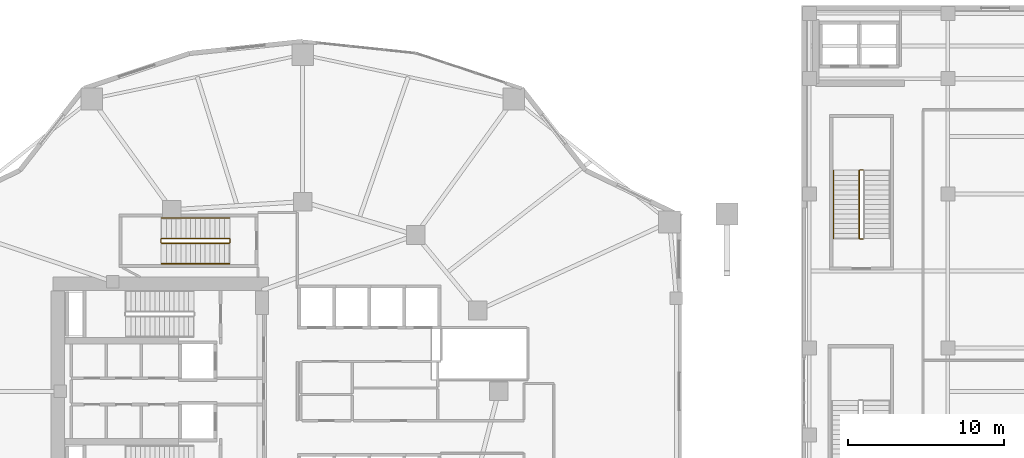
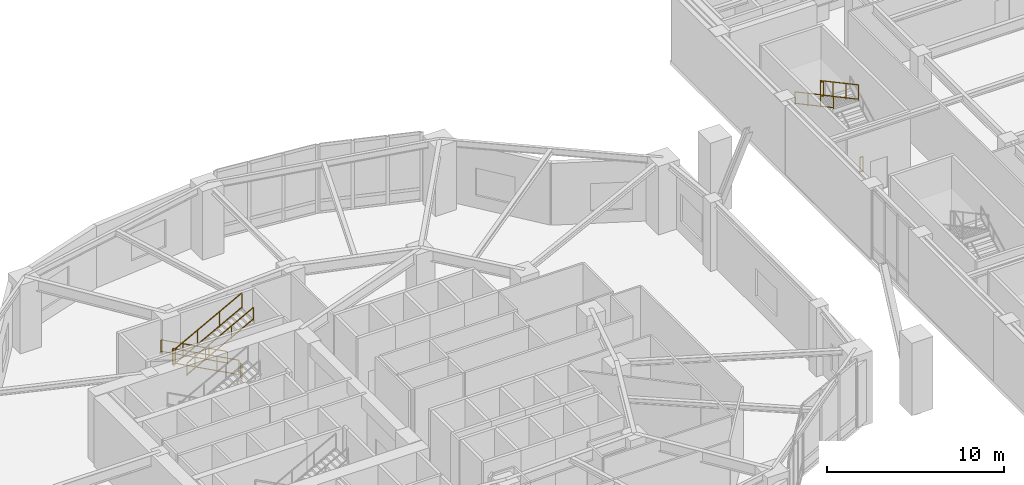
# One storey, part 20 of 21: 10 railings.
"""IFC4 building model written with IfcOpenShell, lengths in metres."""

from ifc_helpers import new_model, si_unit, direction, frame, origin, origin_2d, place, context, subcontext, project, spatial, rectangle, extrude, material, type_object, element, save


model = new_model("IFC4")

# Units and contexts
model_context = context("Model", 3, precision=1e-05, world=origin(), true_north=direction((0.0, 1.0)))
body_context = subcontext(model_context, "Body", "Model", "MODEL_VIEW")
ifc_project = project(units=[si_unit("LENGTHUNIT", "METRE"), si_unit("AREAUNIT", "SQUARE_METRE"), si_unit("VOLUMEUNIT", "CUBIC_METRE"), si_unit("PLANEANGLEUNIT", "RADIAN"), si_unit("MASSUNIT", "GRAM", prefix="KILO")], contexts=[model_context])

# Site, building, storey
site_placement = place(None, origin())
site = spatial("IfcSite", under=ifc_project, at=site_placement, CompositionType="ELEMENT")
building_placement = place(site_placement, origin())
building = spatial("IfcBuilding", under=site, at=building_placement, Name="Kolvaren Gate Tower and Convention Centre", CompositionType="ELEMENT")
storey_placement = place(building_placement, frame((0.0, 0.0, 5.0)))
storey = spatial("IfcBuildingStorey", under=building, at=storey_placement, Name="L01", CompositionType="ELEMENT", Elevation=5.0)

# Railings
ifc_material = material(Name="Brushed Stainless Steel Grade 316L", Category="steel")
railing_type_1 = type_object("IfcRailingType", Name="ARCH-RL-GUARD-1150", PredefinedType="GUARDRAIL", material=ifc_material)
railing_1_placement = place(storey_placement, frame((25.39990234375, 36.830078125, 0.166748046875)))
element("IfcRailing", 1, at=railing_1_placement, inside=storey, type_object=railing_type_1, Name="L01 ST-T3 stair guard 1", PredefinedType="GUARDRAIL", context=body_context, shape_type="SweptSolid", body=[
    extrude(rectangle(XDim=0.048095703125, YDim=0.048095703125, at=origin_2d()), frame((0.0, 0.0, 1.076171875), z_axis=(-0.8807748016, 0.0, 0.47353537235), x_axis=(0.0, -1.0, 0.0)), (0.0, 0.0, 1.0), 4.92724609375),
    extrude(rectangle(XDim=0.048095703125, YDim=0.048095703125, at=origin_2d()), frame((0.0, 0.0, 0.083984375), z_axis=(-0.8807748016, 0.0, 0.47353537235), x_axis=(0.0, -1.0, 0.0)), (0.0, 0.0, 1.0), 4.92724609375),
    extrude(rectangle(XDim=0.0419921875, YDim=0.0419921875, at=origin_2d()), origin(), (0.0, 0.0, 1.0), 1.050048828125),
    extrude(rectangle(XDim=0.0419921875, YDim=0.0419921875, at=origin_2d()), frame((-4.33984375, 0.0, 2.333251953125)), (0.0, 0.0, 1.0), 1.050048828125),
    extrude(rectangle(XDim=0.0419921875, YDim=0.0419921875, at=origin_2d()), frame((-1.446533203125, 0.0, 0.77783203125)), (0.0, 0.0, 1.0), 1.050048828125),
    extrude(rectangle(XDim=0.0419921875, YDim=0.0419921875, at=origin_2d()), frame((-2.893310546875, 0.0, 1.555419921875)), (0.0, 0.0, 1.0), 1.050048828125),
])
railing_2_placement = place(storey_placement, frame((21.010009765625, 36.780029296875, 2.5)))
element("IfcRailing", 2, at=railing_2_placement, inside=storey, type_object=railing_type_1, Name="L01 ST-T3 stair guard 2", PredefinedType="GUARDRAIL", context=body_context, shape_type="SweptSolid", body=[
    extrude(rectangle(XDim=0.048095703125, YDim=0.048095703125, at=origin_2d()), frame((0.0, 0.0, 1.076171875), z_axis=(0.0, -1.0, 0.0), x_axis=(1.0, 0.0, 0.0)), (0.0, 0.0, 1.0), 0.199951171875),
    extrude(rectangle(XDim=0.048095703125, YDim=0.048095703125, at=origin_2d()), frame((0.0, 0.0, 0.083984375), z_axis=(0.0, -1.0, 0.0), x_axis=(1.0, 0.0, 0.0)), (0.0, 0.0, 1.0), 0.199951171875),
    extrude(rectangle(XDim=0.0419921875, YDim=0.0419921875, at=origin_2d()), origin(), (0.0, 0.0, 1.0), 1.050048828125),
    extrude(rectangle(XDim=0.0419921875, YDim=0.0419921875, at=origin_2d()), frame((0.0, -0.199951171875, 0.0)), (0.0, 0.0, 1.0), 1.050048828125),
])
railing_3_placement = place(storey_placement, frame((21.06005859375, 36.530029296875, 2.666748046875)))
element("IfcRailing", 3, at=railing_3_placement, inside=storey, type_object=railing_type_1, Name="L01 ST-T3 stair guard 3", PredefinedType="GUARDRAIL", context=body_context, shape_type="SweptSolid", body=[
    extrude(rectangle(XDim=0.048095703125, YDim=0.048095703125, at=origin_2d()), frame((0.0, 0.0, 1.076171875), z_axis=(0.8807748016, 0.0, 0.47353537235), x_axis=(0.0, 1.0, 0.0)), (0.0, 0.0, 1.0), 4.92724609375),
    extrude(rectangle(XDim=0.048095703125, YDim=0.048095703125, at=origin_2d()), frame((0.0, 0.0, 0.083984375), z_axis=(0.8807748016, 0.0, 0.47353537235), x_axis=(0.0, 1.0, 0.0)), (0.0, 0.0, 1.0), 4.92724609375),
    extrude(rectangle(XDim=0.0419921875, YDim=0.0419921875, at=origin_2d()), origin(), (0.0, 0.0, 1.0), 1.050048828125),
    extrude(rectangle(XDim=0.0419921875, YDim=0.0419921875, at=origin_2d()), frame((4.33984375, 0.0, 2.333251953125)), (0.0, 0.0, 1.0), 1.050048828125),
    extrude(rectangle(XDim=0.0419921875, YDim=0.0419921875, at=origin_2d()), frame((1.446533203125, 0.0, 0.77783203125)), (0.0, 0.0, 1.0), 1.050048828125),
    extrude(rectangle(XDim=0.0419921875, YDim=0.0419921875, at=origin_2d()), frame((2.893310546875, 0.0, 1.555419921875)), (0.0, 0.0, 1.0), 1.050048828125),
])
railing_4_placement = place(storey_placement, frame((25.449951171875, 36.780029296875, 0.0)))
element("IfcRailing", 4, at=railing_4_placement, inside=storey, type_object=railing_type_1, Name="L01 ST-T3 stair guard 4", PredefinedType="GUARDRAIL", context=body_context, shape_type="SweptSolid", body=[
    extrude(rectangle(XDim=0.048095703125, YDim=0.048095703125, at=origin_2d()), frame((0.0, 0.0, 1.076171875), z_axis=(0.0, -1.0, 0.0), x_axis=(1.0, 0.0, 0.0)), (0.0, 0.0, 1.0), 0.199951171875),
    extrude(rectangle(XDim=0.048095703125, YDim=0.048095703125, at=origin_2d()), frame((0.0, 0.0, 0.083984375), z_axis=(0.0, -1.0, 0.0), x_axis=(1.0, 0.0, 0.0)), (0.0, 0.0, 1.0), 0.199951171875),
    extrude(rectangle(XDim=0.0419921875, YDim=0.0419921875, at=origin_2d()), origin(), (0.0, 0.0, 1.0), 1.050048828125),
    extrude(rectangle(XDim=0.0419921875, YDim=0.0419921875, at=origin_2d()), frame((0.0, -0.199951171875, 0.0)), (0.0, 0.0, 1.0), 1.050048828125),
])
railing_5_placement = place(storey_placement, frame((66.14990234375, 41.239990234375, 2.5)))
element("IfcRailing", 5, at=railing_5_placement, inside=storey, type_object=railing_type_1, Name="L01 ST-C1 stair guard 2", PredefinedType="GUARDRAIL", context=body_context, shape_type="SweptSolid", body=[
    extrude(rectangle(XDim=0.048095703125, YDim=0.048095703125, at=origin_2d()), frame((0.0, 0.0, 1.076171875), z_axis=(-1.0, 0.0, 0.0), x_axis=(0.0, -1.0, 0.0)), (0.0, 0.0, 1.0), 0.199951171875),
    extrude(rectangle(XDim=0.048095703125, YDim=0.048095703125, at=origin_2d()), frame((0.0, 0.0, 0.083984375), z_axis=(-1.0, 0.0, 0.0), x_axis=(0.0, -1.0, 0.0)), (0.0, 0.0, 1.0), 0.199951171875),
    extrude(rectangle(XDim=0.0419921875, YDim=0.0419921875, at=origin_2d()), origin(), (0.0, 0.0, 1.0), 1.050048828125),
    extrude(rectangle(XDim=0.0419921875, YDim=0.0419921875, at=origin_2d()), frame((-0.199951171875, 0.0, 0.0)), (0.0, 0.0, 1.0), 1.050048828125),
])
railing_6_placement = place(storey_placement, frame((65.89990234375, 41.18994140625, 2.666748046875)))
element("IfcRailing", 6, at=railing_6_placement, inside=storey, type_object=railing_type_1, Name="L01 ST-C1 stair guard 3", PredefinedType="GUARDRAIL", context=body_context, shape_type="SweptSolid", body=[
    extrude(rectangle(XDim=0.048095703125, YDim=0.048095703125, at=origin_2d()), frame((0.0, 0.0, 1.076171875), z_axis=(0.0, -0.8807748016, 0.47353537235), x_axis=(1.0, 0.0, 0.0)), (0.0, 0.0, 1.0), 4.92724609375),
    extrude(rectangle(XDim=0.048095703125, YDim=0.048095703125, at=origin_2d()), frame((0.0, 0.0, 0.083984375), z_axis=(0.0, -0.8807748016, 0.47353537235), x_axis=(1.0, 0.0, 0.0)), (0.0, 0.0, 1.0), 4.92724609375),
    extrude(rectangle(XDim=0.0419921875, YDim=0.0419921875, at=origin_2d()), origin(), (0.0, 0.0, 1.0), 1.050048828125),
    extrude(rectangle(XDim=0.0419921875, YDim=0.0419921875, at=origin_2d()), frame((0.0, -4.33984375, 2.333251953125)), (0.0, 0.0, 1.0), 1.050048828125),
    extrude(rectangle(XDim=0.0419921875, YDim=0.0419921875, at=origin_2d()), frame((0.0, -1.446533203125, 0.77783203125)), (0.0, 0.0, 1.0), 1.050048828125),
    extrude(rectangle(XDim=0.0419921875, YDim=0.0419921875, at=origin_2d()), frame((0.0, -2.893310546875, 1.555419921875)), (0.0, 0.0, 1.0), 1.050048828125),
])
railing_7_placement = place(storey_placement, frame((66.14990234375, 36.800048828125, 0.0)))
element("IfcRailing", 7, at=railing_7_placement, inside=storey, type_object=railing_type_1, Name="L01 ST-C1 stair guard 4", PredefinedType="GUARDRAIL", context=body_context, shape_type="SweptSolid", body=[
    extrude(rectangle(XDim=0.048095703125, YDim=0.048095703125, at=origin_2d()), frame((0.0, 0.0, 1.076171875), z_axis=(-1.0, 0.0, 0.0), x_axis=(0.0, -1.0, 0.0)), (0.0, 0.0, 1.0), 0.199951171875),
    extrude(rectangle(XDim=0.048095703125, YDim=0.048095703125, at=origin_2d()), frame((0.0, 0.0, 0.083984375), z_axis=(-1.0, 0.0, 0.0), x_axis=(0.0, -1.0, 0.0)), (0.0, 0.0, 1.0), 0.199951171875),
    extrude(rectangle(XDim=0.0419921875, YDim=0.0419921875, at=origin_2d()), origin(), (0.0, 0.0, 1.0), 1.050048828125),
    extrude(rectangle(XDim=0.0419921875, YDim=0.0419921875, at=origin_2d()), frame((-0.199951171875, 0.0, 0.0)), (0.0, 0.0, 1.0), 1.050048828125),
])
railing_type_2 = type_object("IfcRailingType", Name="ARCH-RL-HANDRAIL-920", PredefinedType="HANDRAIL", material=ifc_material)
railing_8_placement = place(storey_placement, frame((25.39990234375, 38.14990234375, 0.166748046875)))
element("IfcRailing", 8, at=railing_8_placement, inside=storey, type_object=railing_type_2, Name="L01 ST-T3 stair handrail 1", PredefinedType="HANDRAIL", context=body_context, shape_type="SweptSolid", body=[
    extrude(rectangle(XDim=0.048095703125, YDim=0.048095703125, at=origin_2d()), frame((0.0, 0.0, 0.8759765625), z_axis=(-0.8807748016, 0.0, 0.47353537235), x_axis=(0.0, -1.0, 0.0)), (0.0, 0.0, 1.0), 4.92724609375),
    extrude(rectangle(XDim=0.048095703125, YDim=0.048095703125, at=origin_2d()), frame((0.0, 0.0, 0.083984375), z_axis=(-0.8807748016, 0.0, 0.47353537235), x_axis=(0.0, -1.0, 0.0)), (0.0, 0.0, 1.0), 4.92724609375),
    extrude(rectangle(XDim=0.0419921875, YDim=0.0419921875, at=origin_2d()), origin(), (0.0, 0.0, 1.0), 0.849853515625),
    extrude(rectangle(XDim=0.0419921875, YDim=0.0419921875, at=origin_2d()), frame((-4.33984375, 0.0, 2.333251953125)), (0.0, 0.0, 1.0), 0.849853515625),
    extrude(rectangle(XDim=0.0419921875, YDim=0.0419921875, at=origin_2d()), frame((-1.446533203125, 0.0, 0.77783203125)), (0.0, 0.0, 1.0), 0.849853515625),
    extrude(rectangle(XDim=0.0419921875, YDim=0.0419921875, at=origin_2d()), frame((-2.893310546875, 0.0, 1.555419921875)), (0.0, 0.0, 1.0), 0.849853515625),
])
railing_9_placement = place(storey_placement, frame((21.06005859375, 35.2099609375, 2.666748046875)))
element("IfcRailing", 9, at=railing_9_placement, inside=storey, type_object=railing_type_2, Name="L01 ST-T3 stair handrail 2", PredefinedType="HANDRAIL", context=body_context, shape_type="SweptSolid", body=[
    extrude(rectangle(XDim=0.048095703125, YDim=0.048095703125, at=origin_2d()), frame((0.0, 0.0, 0.8759765625), z_axis=(0.8807748016, 0.0, 0.47353537235), x_axis=(0.0, 1.0, 0.0)), (0.0, 0.0, 1.0), 4.92724609375),
    extrude(rectangle(XDim=0.048095703125, YDim=0.048095703125, at=origin_2d()), frame((0.0, 0.0, 0.083984375), z_axis=(0.8807748016, 0.0, 0.47353537235), x_axis=(0.0, 1.0, 0.0)), (0.0, 0.0, 1.0), 4.92724609375),
    extrude(rectangle(XDim=0.0419921875, YDim=0.0419921875, at=origin_2d()), origin(), (0.0, 0.0, 1.0), 0.849853515625),
    extrude(rectangle(XDim=0.0419921875, YDim=0.0419921875, at=origin_2d()), frame((4.33984375, 0.0, 2.333251953125)), (0.0, 0.0, 1.0), 0.849853515625),
    extrude(rectangle(XDim=0.0419921875, YDim=0.0419921875, at=origin_2d()), frame((1.446533203125, 0.0, 0.77783203125)), (0.0, 0.0, 1.0), 0.849853515625),
    extrude(rectangle(XDim=0.0419921875, YDim=0.0419921875, at=origin_2d()), frame((2.893310546875, 0.0, 1.555419921875)), (0.0, 0.0, 1.0), 0.849853515625),
])
railing_10_placement = place(storey_placement, frame((64.25, 41.18994140625, 2.666748046875)))
element("IfcRailing", 10, at=railing_10_placement, inside=storey, type_object=railing_type_2, Name="L01 ST-C1 stair handrail 2", PredefinedType="HANDRAIL", context=body_context, shape_type="SweptSolid", body=[
    extrude(rectangle(XDim=0.048095703125, YDim=0.048095703125, at=origin_2d()), frame((0.0, 0.0, 0.8759765625), z_axis=(0.0, -0.8807748016, 0.47353537235), x_axis=(1.0, 0.0, 0.0)), (0.0, 0.0, 1.0), 4.92724609375),
    extrude(rectangle(XDim=0.048095703125, YDim=0.048095703125, at=origin_2d()), frame((0.0, 0.0, 0.083984375), z_axis=(0.0, -0.8807748016, 0.47353537235), x_axis=(1.0, 0.0, 0.0)), (0.0, 0.0, 1.0), 4.92724609375),
    extrude(rectangle(XDim=0.0419921875, YDim=0.0419921875, at=origin_2d()), origin(), (0.0, 0.0, 1.0), 0.849853515625),
    extrude(rectangle(XDim=0.0419921875, YDim=0.0419921875, at=origin_2d()), frame((0.0, -4.33984375, 2.333251953125)), (0.0, 0.0, 1.0), 0.849853515625),
    extrude(rectangle(XDim=0.0419921875, YDim=0.0419921875, at=origin_2d()), frame((0.0, -1.446533203125, 0.77783203125)), (0.0, 0.0, 1.0), 0.849853515625),
    extrude(rectangle(XDim=0.0419921875, YDim=0.0419921875, at=origin_2d()), frame((0.0, -2.893310546875, 1.555419921875)), (0.0, 0.0, 1.0), 0.849853515625),
])

save(model, "model.ifc")
